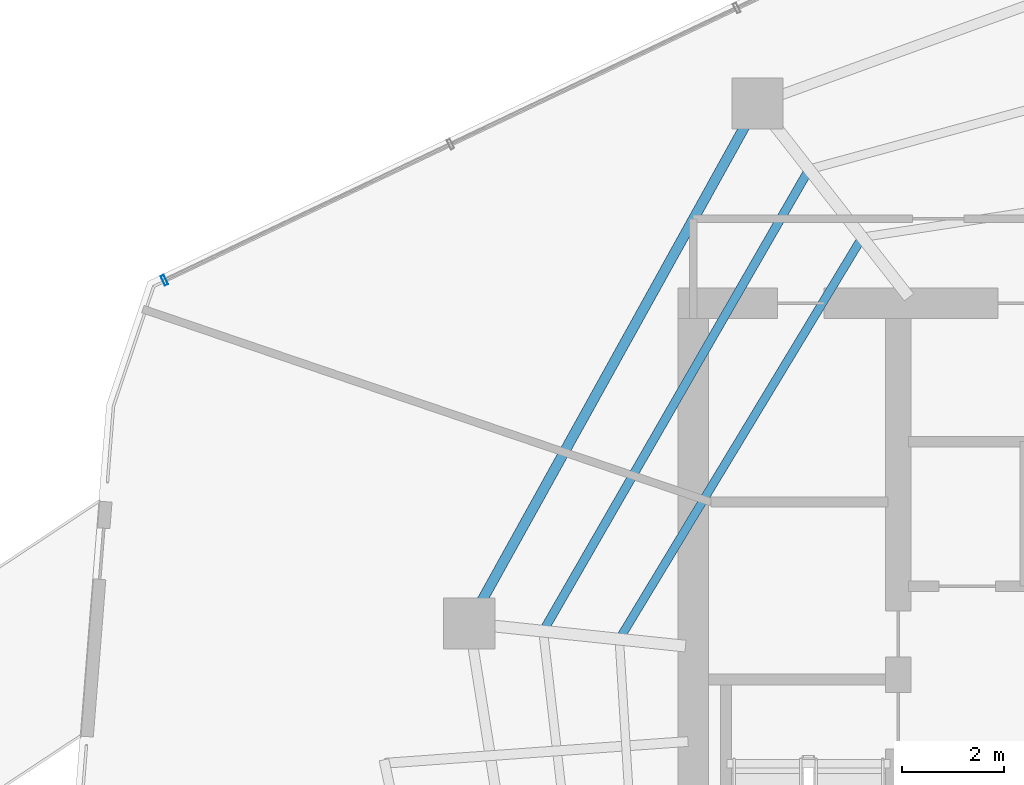
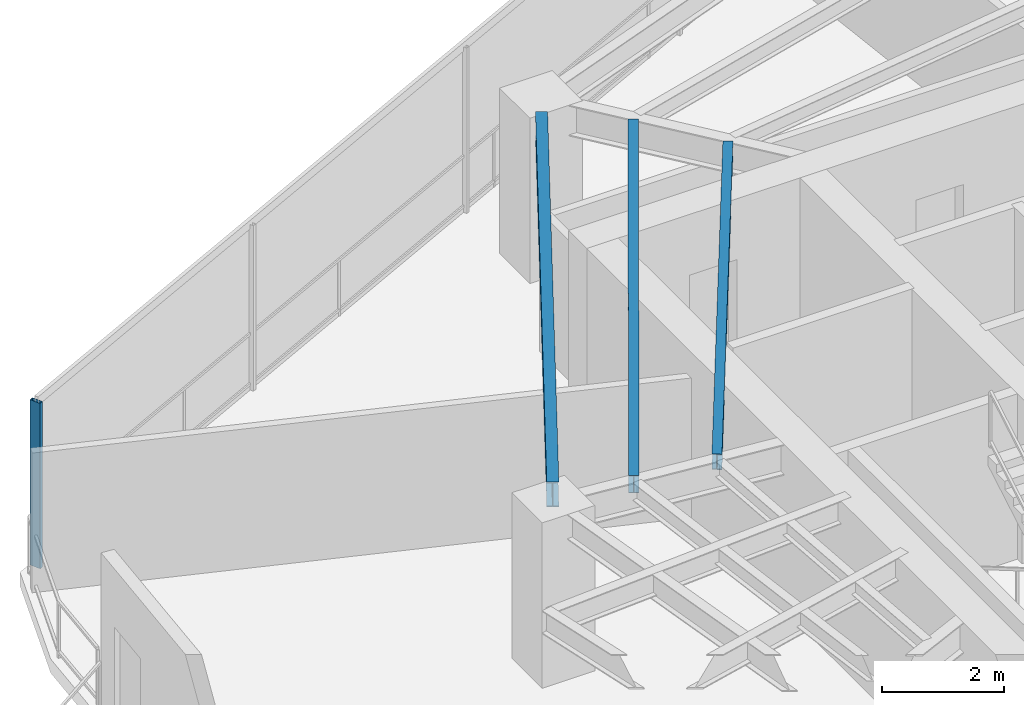
# One storey, part 7 of 21: 3 beams, 1 member, 1 element without a shape of its own.
"""IFC4 building model written with IfcOpenShell, lengths in metres."""

from ifc_helpers import new_model, si_unit, direction, frame, origin, origin_2d, place, context, subcontext, project, spatial, hollow_rectangle, i_section, extrude, material, layer, layer_set, material_profile, profile_set, type_object, element, aggregate, save


model = new_model("IFC4")

# Units and contexts
model_context = context("Model", 3, precision=1e-05, world=origin(), true_north=direction((0.0, 1.0)))
body_context = subcontext(model_context, "Body", "Model", "MODEL_VIEW")
ifc_project = project(units=[si_unit("LENGTHUNIT", "METRE"), si_unit("AREAUNIT", "SQUARE_METRE"), si_unit("VOLUMEUNIT", "CUBIC_METRE"), si_unit("PLANEANGLEUNIT", "RADIAN"), si_unit("MASSUNIT", "GRAM", prefix="KILO")], contexts=[model_context])

# Site, building, storey
site_placement = place(None, origin())
site = spatial("IfcSite", under=ifc_project, at=site_placement, CompositionType="ELEMENT")
building_placement = place(site_placement, origin())
building = spatial("IfcBuilding", under=site, at=building_placement, Name="Qarnah Convention Tower", CompositionType="ELEMENT")
storey_placement = place(building_placement, frame((0.0, 0.0, 161.699951171875)))
storey = spatial("IfcBuildingStorey", under=building, at=storey_placement, Name="L43", CompositionType="ELEMENT", Elevation=161.699951171875)

# Beams
ifc_material_1 = material(Name="Structural steel S355JR", Category="steel")
ifc_material_profile_1 = material_profile(ifc_material_1, i_section(OverallWidth=0.166015625, OverallDepth=0.31201171875, WebThickness=0.007080078125, FlangeThickness=0.010986328125, at=origin_2d()), Name="W310X45")
ifc_profile_set_1 = profile_set([ifc_material_profile_1], Name="Structural steel S355JR")
beam_type_1 = type_object("IfcBeamType", Name="BM-JST-W310", PredefinedType="JOIST", material=ifc_profile_set_1)
beam_1_placement = place(storey_placement, frame((30.052978515625, 35.410888671875, 3.1640625), z_axis=(-0.517274041331, -0.855819821087, 0.0), x_axis=(0.855819821087, -0.517274041331, 0.0)))
element("IfcBeam", 1, at=beam_1_placement, inside=storey, type_object=beam_type_1, Name="L43 joist BM-L43-IJST-04", PredefinedType="JOIST", context=body_context, shape_type="SweptSolid", body=[
    extrude(i_section(OverallWidth=0.166015625, OverallDepth=0.31201171875, WebThickness=0.007080078125, FlangeThickness=0.010986328125, at=origin_2d()), origin(), (0.0, 0.0, 1.0), 8.9853515625),
])
ifc_material_profile_2 = material_profile(ifc_material_1, i_section(OverallWidth=0.172119140625, OverallDepth=0.35595703125, WebThickness=0.007080078125, FlangeThickness=0.011962890625, at=origin_2d()), Name="W360X51")
ifc_profile_set_2 = profile_set([ifc_material_profile_2], Name="Structural steel S355JR")
beam_type_2 = type_object("IfcBeamType", Name="BM-JST-W360", PredefinedType="JOIST", material=ifc_profile_set_2)
beam_2_placement = place(storey_placement, frame((29.01806640625, 36.736083984375, 3.14208984375), z_axis=(-0.499001955416, -0.86660085881, 0.0), x_axis=(0.86660085881, -0.499001955416, 0.0)))
element("IfcBeam", 2, at=beam_2_placement, inside=storey, type_object=beam_type_2, Name="L43 joist BM-L43-SJST-04", PredefinedType="JOIST", context=body_context, shape_type="SweptSolid", body=[
    extrude(i_section(OverallWidth=0.172119140625, OverallDepth=0.35595703125, WebThickness=0.007080078125, FlangeThickness=0.011962890625, at=origin_2d()), origin(), (0.0, 0.0, 1.0), 10.220703125),
])
ifc_material_profile_3 = material_profile(ifc_material_1, i_section(OverallWidth=0.199951171875, OverallDepth=0.5, WebThickness=0.010009765625, FlangeThickness=0.01611328125, at=origin_2d()), Name="IPE500")
ifc_profile_set_3 = profile_set([ifc_material_profile_3], Name="Structural steel S355JR")
beam_type_3 = type_object("IfcBeamType", Name="BM-SPN-IPE500", PredefinedType="SPANDREL", material=ifc_profile_set_3)
beam_3_placement = place(storey_placement, frame((27.819091796875, 37.673095703125, 3.070068359375), z_axis=(-0.48477441757, -0.874639219375, 0.0), x_axis=(0.874639219375, -0.48477441757, 0.0)))
element("IfcBeam", 3, at=beam_3_placement, inside=storey, type_object=beam_type_3, Name="L43 spandrel BM-L43-SPN-04", PredefinedType="SPANDREL", context=body_context, shape_type="SweptSolid", body=[
    extrude(i_section(OverallWidth=0.199951171875, OverallDepth=0.5, WebThickness=0.010009765625, FlangeThickness=0.01611328125, at=origin_2d()), origin(), (0.0, 0.0, 1.0), 10.623779296875),
])

# Curtain wall, member
ifc_material_2 = material(Name="Tempered Low-E dark glass", Category="glass")
ifc_layer = layer(ifc_material_2, 0.172119140625)
ifc_layer_set = layer_set([ifc_layer], Name="Tempered Low-E dark glass")
curtain_wall_type = type_object("IfcCurtainWallType", Name="CWS-03", PredefinedType="NOTDEFINED", material=ifc_layer_set)
curtain_wall_placement = place(storey_placement, origin())
curtain_wall = element("IfcCurtainWall", 4, at=curtain_wall_placement, inside=storey, type_object=curtain_wall_type, Name="L43 unitised curtain wall CW-L43-F2", PredefinedType="NOTDEFINED")
ifc_material_3 = material(Name="Black anodised aluminium", Category="aluminium")
ifc_material_profile_4 = material_profile(ifc_material_3, hollow_rectangle(XDim=0.070068359375, YDim=0.199951171875, WallThickness=0.0048828125, at=origin_2d()), Name="MUL-70X200")
ifc_profile_set_4 = profile_set([ifc_material_profile_4], Name="Black anodised aluminium")
member_type = type_object("IfcMemberType", Name="MUL-T3", PredefinedType="MULLION", material=ifc_profile_set_4)
member_placement = place(storey_placement, frame((16.47998046875, 34.65087890625, 0.0), z_axis=(0.0, 0.0, 1.0), x_axis=(0.903049301715, 0.429536911885, 0.0)))
member = element("IfcMember", 5, at=member_placement, type_object=member_type, Name="CW-L43-F2 mullion 1", PredefinedType="MULLION", context=body_context, shape_type="SweptSolid", body=[
    extrude(hollow_rectangle(XDim=0.070068359375, YDim=0.199951171875, WallThickness=0.0048828125, at=origin_2d()), origin(), (0.0, 0.0, 1.0), 3.320068359375),
])
aggregate(curtain_wall, [member])

save(model, "model.ifc")
